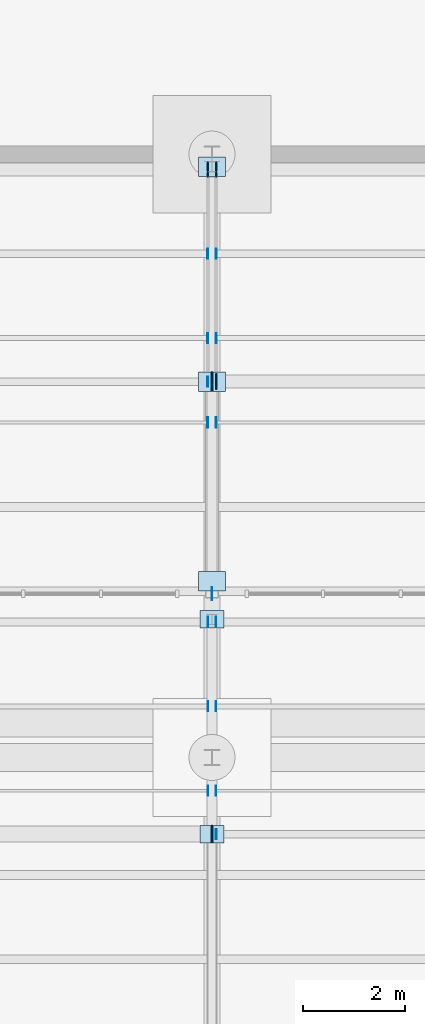
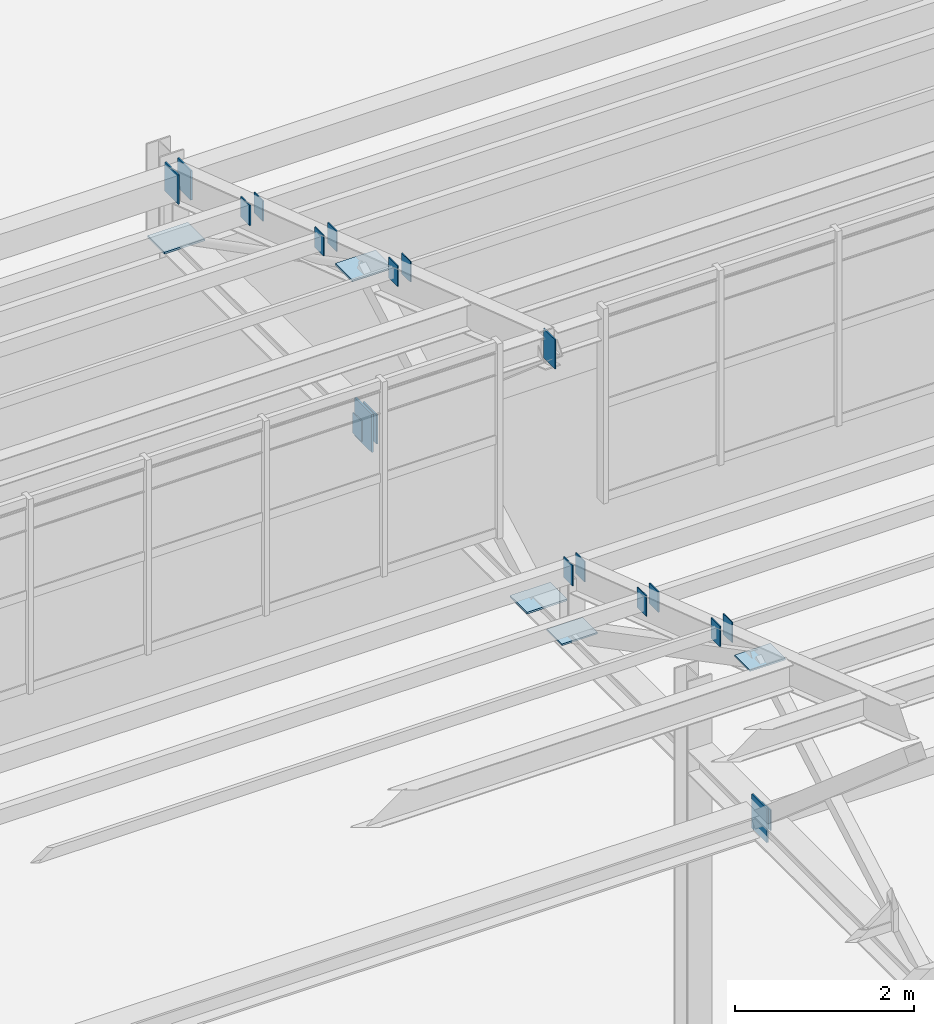
# One storey, part 220 of 285: 25 plates.
"""IFC4 building model written with IfcOpenShell, lengths in metres."""

from ifc_helpers import new_model, si_unit, direction, frame, origin, origin_2d, place, context, subcontext, project, spatial, rectangle, extrude, material, layer, layer_set, type_object, element, save


model = new_model("IFC4")

# Units and contexts
model_context = context("Model", 3, precision=1e-05, world=origin(), true_north=direction((0.0, 1.0)))
body_context = subcontext(model_context, "Body", "Model", "MODEL_VIEW")
ifc_project = project(units=[si_unit("LENGTHUNIT", "METRE"), si_unit("AREAUNIT", "SQUARE_METRE"), si_unit("VOLUMEUNIT", "CUBIC_METRE"), si_unit("PLANEANGLEUNIT", "RADIAN"), si_unit("MASSUNIT", "GRAM", prefix="KILO")], contexts=[model_context])

# Site, building, storey
site_placement = place(None, origin())
site = spatial("IfcSite", under=ifc_project, at=site_placement, CompositionType="ELEMENT")
building_placement = place(site_placement, origin())
building = spatial("IfcBuilding", under=site, at=building_placement, Name="Solanera Park Tramway Depot", CompositionType="ELEMENT")
storey_placement = place(building_placement, origin())
storey = spatial("IfcBuildingStorey", under=building, at=storey_placement, Name="L00", CompositionType="ELEMENT", Elevation=0.0)

# Plates
ifc_material_1 = material(Name="Steel AS/NZS 3679.1 Grade 350", Category="steel")
ifc_layer_1 = layer(ifc_material_1, 0.013916015625)
ifc_layer_set_1 = layer_set([ifc_layer_1], Name="Steel AS/NZS 3679.1 Grade 350")
plate_type_1 = type_object("IfcPlateType", Name="Hollow End Cap and Base Plate 280x200x14", PredefinedType="USERDEFINED", material=ifc_layer_set_1)
for number, where, z_axis, x_axis, name in (
    (1, (74.922119140625, 113.85009765625, 8.41064453125), (0.0, 0.0, 1.0), (1.0, 0.0, 0.0), "Hollow Section Welded End Cap Plate #0692"),
    (2, (75.077880859375, 113.85009765625, 8.41064453125), (0.0, 0.0, 1.0), (1.0, 0.0, 0.0), "Hollow Section Welded End Cap Plate #0693"),
    (3, (74.922119140625, 115.5, 7.8251953125), (0.0, 0.0, 1.0), (1.0, 0.0, 0.0), "Hollow Section Welded End Cap Plate #0712"),
    (4, (75.077880859375, 115.5, 7.8251953125), (0.0, 0.0, 1.0), (1.0, 0.0, 0.0), "Hollow Section Welded End Cap Plate #0713"),
    (5, (74.922119140625, 117.14990234375, 7.23974609375), (0.0, 0.0, 1.0), (1.0, 0.0, 0.0), "Hollow Section Welded End Cap Plate #0732"),
    (6, (75.077880859375, 117.14990234375, 7.23974609375), (0.0, 0.0, 1.0), (1.0, 0.0, 0.0), "Hollow Section Welded End Cap Plate #0733"),
    (7, (75.0849609375, 113.0, 6.35986328125), (0.0, 0.0, 1.0), (1.0, 0.0, 0.0), "Hollow Section Welded End Cap Plate #0749"),
    (8, (74.915771484375, 121.050048828125, 8.96240234375), (0.0, 0.0, 1.0), (1.0, 0.0, 0.0), "Hollow Section Welded End Cap Plate #0821"),
    (9, (75.084228515625, 121.050048828125, 8.96240234375), (0.0, 0.0, 1.0), (1.0, 0.0, 0.0), "Hollow Section Welded End Cap Plate #0822"),
    (10, (74.915771484375, 122.699951171875, 8.376953125), (0.0, 0.0, 1.0), (1.0, 0.0, 0.0), "Hollow Section Welded End Cap Plate #0841"),
    (11, (75.084228515625, 122.699951171875, 8.376953125), (0.0, 0.0, 1.0), (1.0, 0.0, 0.0), "Hollow Section Welded End Cap Plate #0842"),
    (12, (74.915771484375, 124.35009765625, 7.79150390625), (0.0, 0.0, 1.0), (1.0, 0.0, 0.0), "Hollow Section Welded End Cap Plate #0861"),
    (13, (75.084228515625, 124.35009765625, 7.79150390625), (0.0, 0.0, 1.0), (1.0, 0.0, 0.0), "Hollow Section Welded End Cap Plate #0862"),
    (14, (74.9150390625, 121.85009765625, 6.35986328125), (0.0, 0.0, 1.0), (1.0, 0.0, 0.0), "Hollow Section Welded End Cap Plate #0897"),
):
    element("IfcPlate", number, at=place(storey_placement, frame(where, z_axis=z_axis, x_axis=x_axis)), inside=storey, type_object=plate_type_1, Name=name, ObjectType="BASE PLATE", PredefinedType="USERDEFINED", context=body_context, shape_type="SweptSolid", body=[
        extrude(rectangle(XDim=0.013916015625, YDim=0.199951171875, at=origin_2d()), origin(), (0.0, 0.0, 1.0), 0.280029296875),
    ])
ifc_material_2 = material(Name="Steel AS/NZS 3679.1 Grade 350", Category="steel")
ifc_layer_2 = layer(ifc_material_2, 0.02001953125)
ifc_layer_set_2 = layer_set([ifc_layer_2], Name="Steel AS/NZS 3679.1 Grade 350")
plate_type_2 = type_object("IfcPlateType", Name="Hollow End Cap and Base Plate 400x300x20", PredefinedType="USERDEFINED", material=ifc_layer_set_2)
for number, where, z_axis, x_axis, name in (
    (15, (74.918701171875, 126.0, 7.11279296875), (0.0, 0.0, 1.0), (1.0, 0.0, 0.0), "Hollow Section Welded End Cap Plate #0881"),
    (16, (75.081298828125, 126.0, 7.11279296875), (0.0, 0.0, 1.0), (1.0, 0.0, 0.0), "Hollow Section Welded End Cap Plate #0882"),
    (17, (75.08203125, 121.85009765625, 6.300048828125), (0.0, 0.0, 1.0), (1.0, 0.0, 0.0), "Hollow Section Welded End Cap Plate #0898"),
):
    element("IfcPlate", number, at=place(storey_placement, frame(where, z_axis=z_axis, x_axis=x_axis)), inside=storey, type_object=plate_type_2, Name=name, ObjectType="BASE PLATE", PredefinedType="USERDEFINED", context=body_context, shape_type="SweptSolid", body=[
        extrude(rectangle(XDim=0.02001953125, YDim=0.300048828125, at=origin_2d()), origin(), (0.0, 0.0, 1.0), 0.39990234375),
    ])
ifc_material_3 = material(Name="Steel AS/NZS 3679.1 Grade 350", Category="steel")
ifc_layer_3 = layer(ifc_material_3, 0.02197265625)
ifc_layer_set_3 = layer_set([ifc_layer_3], Name="Steel AS/NZS 3679.1 Grade 350")
plate_type_3 = type_object("IfcPlateType", Name="Hollow End Cap and Base Plate 460x340x22", PredefinedType="USERDEFINED", material=ifc_layer_set_3)
plate_1_placement = place(storey_placement, frame((75.0, 113.0, 6.27001953125), z_axis=(0.0, 0.0, 1.0), x_axis=(1.0, 0.0, 0.0)))
element("IfcPlate", 18, at=plate_1_placement, inside=storey, type_object=plate_type_3, Name="Sawtooth Truss Hollow End Cap #0654", ObjectType="BASE PLATE", PredefinedType="USERDEFINED", context=body_context, shape_type="SweptSolid", body=[
    extrude(rectangle(XDim=0.02197265625, YDim=0.340087890625, at=origin_2d()), origin(), (0.0, 0.0, 1.0), 0.4599609375),
])
for number, where, z_axis, x_axis, name in (
    (19, (75.0, 117.199951171875, 6.489013671875), (0.0, 0.0, 1.0), (1.0, 0.0, 0.0), "Sawtooth Truss Node Cap Plate #0655"),
    (20, (75.0, 113.0, 8.68212890625), (0.0, 0.0, 1.0), (1.0, 0.0, 0.0), "Sawtooth Truss Node Cap Plate #0656"),
):
    element("IfcPlate", number, at=place(storey_placement, frame(where, z_axis=z_axis, x_axis=x_axis)), inside=storey, type_object=plate_type_3, Name=name, ObjectType="BASE PLATE", PredefinedType="USERDEFINED", context=body_context, shape_type="SweptSolid", body=[
        extrude(rectangle(XDim=0.4599609375, YDim=0.340087890625, at=origin_2d()), origin(), (0.0, 0.0, 1.0), 0.02197265625),
    ])
ifc_material_4 = material(Name="Steel AS/NZS 3679.1 Grade 350", Category="steel")
ifc_layer_4 = layer(ifc_material_4, 0.02490234375)
ifc_layer_set_4 = layer_set([ifc_layer_4], Name="Steel AS/NZS 3679.1 Grade 350")
plate_type_4 = type_object("IfcPlateType", Name="Hollow End Cap and Base Plate 520x380x25", PredefinedType="USERDEFINED", material=ifc_layer_set_4)
plate_2_placement = place(storey_placement, frame((75.0, 121.85009765625, 6.239990234375), z_axis=(0.0, 0.0, 1.0), x_axis=(1.0, 0.0, 0.0)))
element("IfcPlate", 21, at=plate_2_placement, inside=storey, type_object=plate_type_4, Name="Sawtooth Truss Hollow End Cap #0783", ObjectType="BASE PLATE", PredefinedType="USERDEFINED", context=body_context, shape_type="SweptSolid", body=[
    extrude(rectangle(XDim=0.02490234375, YDim=0.3798828125, at=origin_2d()), origin(), (0.0, 0.0, 1.0), 0.52001953125),
])
for number, where, z_axis, x_axis, name in (
    (22, (75.0, 126.050048828125, 6.487548828125), (0.0, 0.0, 1.0), (1.0, 0.0, 0.0), "Sawtooth Truss Node Cap Plate #0784"),
    (23, (75.0, 121.85009765625, 8.655029296875), (0.0, 0.0, 1.0), (1.0, 0.0, 0.0), "Sawtooth Truss Node Cap Plate #0785"),
    (24, (75.0, 117.949951171875, 6.487548828125), (0.0, 0.0, 1.0), (1.0, 0.0, 0.0), "Sawtooth Truss Node Cap Plate #0786"),
):
    element("IfcPlate", number, at=place(storey_placement, frame(where, z_axis=z_axis, x_axis=x_axis)), inside=storey, type_object=plate_type_4, Name=name, ObjectType="BASE PLATE", PredefinedType="USERDEFINED", context=body_context, shape_type="SweptSolid", body=[
        extrude(rectangle(XDim=0.52001953125, YDim=0.3798828125, at=origin_2d()), origin(), (0.0, 0.0, 1.0), 0.02490234375),
    ])
ifc_material_5 = material(Name="Steel AS/NZS 3679.1 Grade 350", Category="steel")
ifc_layer_5 = layer(ifc_material_5, 0.01611328125)
ifc_layer_set_5 = layer_set([ifc_layer_5], Name="Steel AS/NZS 3679.1 Grade 350")
plate_type_5 = type_object("IfcPlateType", Name="Truss Node Gusset Stiffener 400x260x16", PredefinedType="SHEET", material=ifc_layer_set_5)
plate_3_placement = place(storey_placement, frame((75.0, 117.699951171875, 9.856201171875), z_axis=(0.0, 0.0, 1.0), x_axis=(1.0, 0.0, 0.0)))
element("IfcPlate", 25, at=plate_3_placement, inside=storey, type_object=plate_type_5, Name="Sawtooth Truss Apex Gusset Plate #0782", PredefinedType="SHEET", context=body_context, shape_type="SweptSolid", body=[
    extrude(rectangle(XDim=0.01611328125, YDim=0.260009765625, at=origin_2d()), origin(), (0.0, 0.0, 1.0), 0.39990234375),
])

save(model, "model.ifc")
